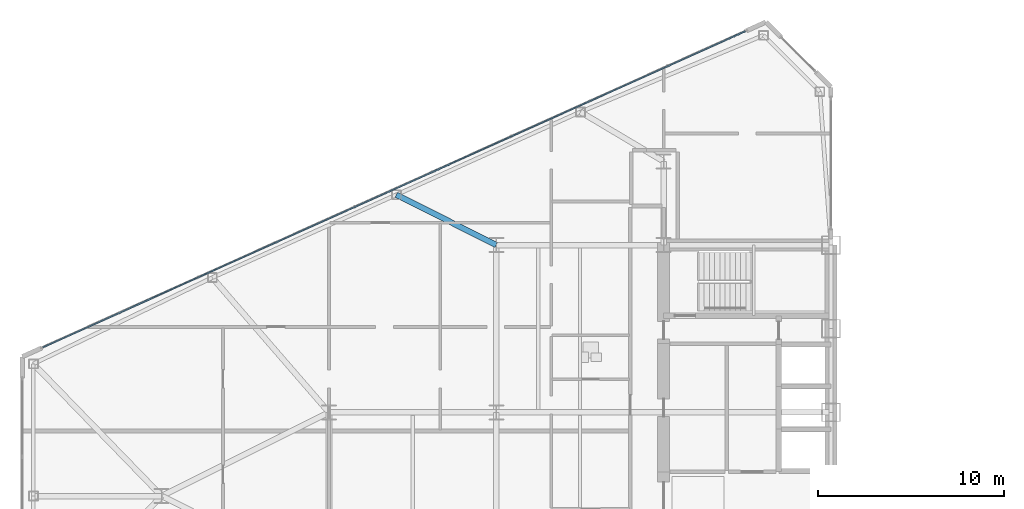
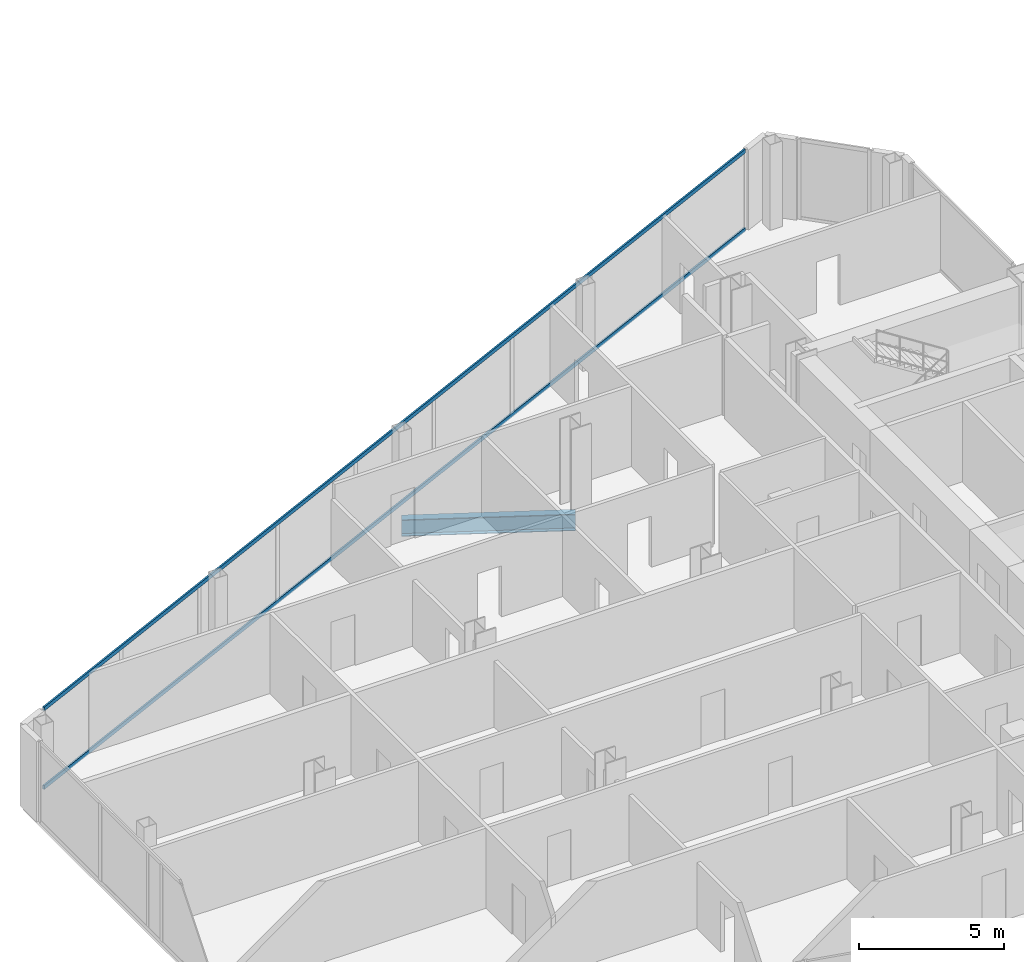
# One storey, part 8 of 27: 2 members, 1 beam, 1 element without a shape of its own.
"""IFC4 building model written with IfcOpenShell, lengths in metres."""

from ifc_helpers import new_model, si_unit, direction, frame, origin, origin_2d, place, context, subcontext, project, spatial, rectangle, i_section, extrude, source, transform, mapped, material, layer, layer_set, material_profile, profile_set, type_object, type_shapes, element, aggregate, save


model = new_model("IFC4")

# Units and contexts
model_context = context("Model", 3, precision=1e-05, world=origin(), true_north=direction((0.0, 1.0)))
body_context = subcontext(model_context, "Body", "Model", "MODEL_VIEW")
ifc_project = project(units=[si_unit("LENGTHUNIT", "METRE"), si_unit("AREAUNIT", "SQUARE_METRE"), si_unit("VOLUMEUNIT", "CUBIC_METRE"), si_unit("PLANEANGLEUNIT", "RADIAN"), si_unit("MASSUNIT", "GRAM", prefix="KILO")], contexts=[model_context])

# Site, building, storey
site_placement = place(None, origin())
site = spatial("IfcSite", under=ifc_project, at=site_placement, CompositionType="ELEMENT")
building_placement = place(site_placement, origin())
building = spatial("IfcBuilding", under=site, at=building_placement, Name="Seokmaru Belvedere", CompositionType="ELEMENT")
storey_placement = place(building_placement, frame((0.0, 0.0, 106.800048828125)))
storey = spatial("IfcBuildingStorey", under=building, at=storey_placement, Name="L28", CompositionType="ELEMENT", Elevation=106.800048828125)

# Beam
ifc_material_1 = material(Name="Steel SM355 (355 MPa)", Category="steel")
ifc_material_profile_1 = material_profile(ifc_material_1, i_section(OverallWidth=0.300048828125, OverallDepth=0.699951171875, WebThickness=0.012939453125, FlangeThickness=0.02392578125, at=origin_2d()), Name="H-700x300x13x24")
ifc_profile_set_1 = profile_set([ifc_material_profile_1], Name="Steel SM355 (355 MPa)")
beam_type = type_object("IfcBeamType", Name="Primary Floor Girder H-700", PredefinedType="BEAM", material=ifc_profile_set_1)
shared_shape_1 = source(origin(), body_context, "Body", "SweptSolid", [
    extrude(i_section(OverallWidth=0.300048828125, OverallDepth=0.699951171875, WebThickness=0.012939453125, FlangeThickness=0.02392578125, at=origin_2d()), origin(), (0.0, 0.0, 1.0), 6.017333984375),
])
type_shapes(beam_type, [shared_shape_1])
beam_placement = place(storey_placement, frame((-50.875, 16.205322265625, -0.570068359375), z_axis=(0.893239341975, -0.449581447512, 0.0), x_axis=(0.449581447512, 0.893239341975, 0.0)))
element("IfcBeam", 1, at=beam_placement, inside=storey, type_object=beam_type, Name="L28 W Flank Radial Floor Girder N-2", PredefinedType="BEAM", context=body_context, shape_type="MappedRepresentation", body=[
    mapped(shared_shape_1, transform((0.0, 0.0, 0.0), scale=1.0)),
])

# Curtain wall, members
ifc_material_2 = material(Name="Bronze Triple Insulating Glass", Category="glass")
ifc_layer = layer(ifc_material_2, 0.195068359375)
ifc_layer_set = layer_set([ifc_layer], Name="Bronze Triple Insulating Glass")
curtain_wall_type = type_object("IfcCurtainWallType", Name="Lower-Mid Tapered Curtain Wall System CW-3", PredefinedType="NOTDEFINED", material=ifc_layer_set)
curtain_wall_placement = place(storey_placement, origin())
curtain_wall = element("IfcCurtainWall", 2, at=curtain_wall_placement, inside=storey, type_object=curtain_wall_type, Name="L28 Curtain Wall WF3", PredefinedType="NOTDEFINED")
ifc_material_3 = material(Name="Anodised Bronze Aluminium", Category="aluminium")
ifc_material_profile_2 = material_profile(ifc_material_3, rectangle(XDim=0.070068359375, YDim=0.1650390625, at=origin_2d()), Name="CW-T-70x165")
ifc_profile_set_2 = profile_set([ifc_material_profile_2], Name="Anodised Bronze Aluminium")
member_type = type_object("IfcMemberType", Name="Bronze Unitised Transom 70x165", PredefinedType="USERDEFINED", material=ifc_profile_set_2)
shared_shape_2 = source(origin(), body_context, "Body", "SweptSolid", [
    extrude(rectangle(XDim=0.070068359375, YDim=0.1650390625, at=origin_2d()), origin(), (0.0, 0.0, 1.0), 41.423583984375),
])
type_shapes(member_type, [shared_shape_2])
member_1_placement = place(storey_placement, frame((-32.112548828125, 24.99951171875, 0.034912109375), z_axis=(-0.911918637916, -0.410371048956, 0.0), x_axis=(0.410371048956, -0.911918637916, 0.0)))
member_1 = element("IfcMember", 3, at=member_1_placement, type_object=member_type, Name="CW:L28:WF3 Continuous Transom 1", ObjectType="TRANSOM", PredefinedType="USERDEFINED", context=body_context, shape_type="MappedRepresentation", body=[
    mapped(shared_shape_2, transform((0.0, 0.0, 0.0), scale=1.0)),
])
member_2_placement = place(storey_placement, frame((-32.112548828125, 24.99951171875, 3.344970703125), z_axis=(-0.911918637916, -0.410371048956, 0.0), x_axis=(0.410371048956, -0.911918637916, 0.0)))
member_2 = element("IfcMember", 4, at=member_2_placement, type_object=member_type, Name="CW:L28:WF3 Continuous Transom 2", ObjectType="TRANSOM", PredefinedType="USERDEFINED", context=body_context, shape_type="MappedRepresentation", body=[
    mapped(shared_shape_2, transform((0.0, 0.0, 0.0), scale=1.0)),
])
aggregate(curtain_wall, [member_1, member_2])

save(model, "model.ifc")
